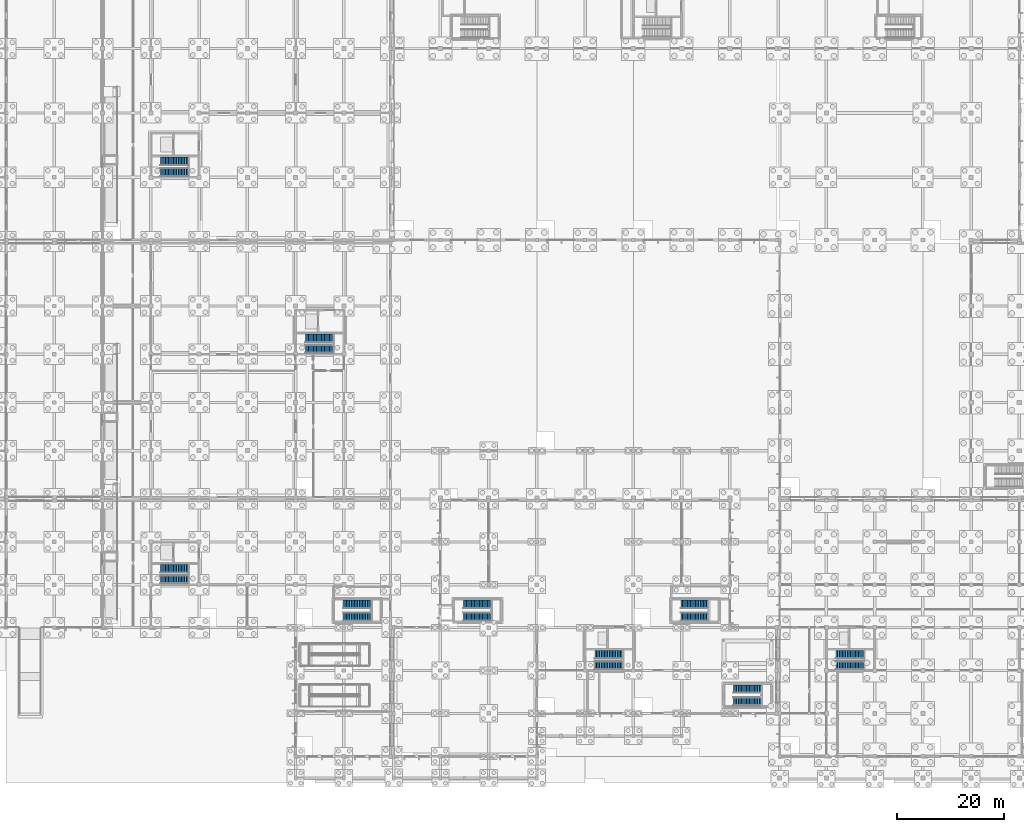
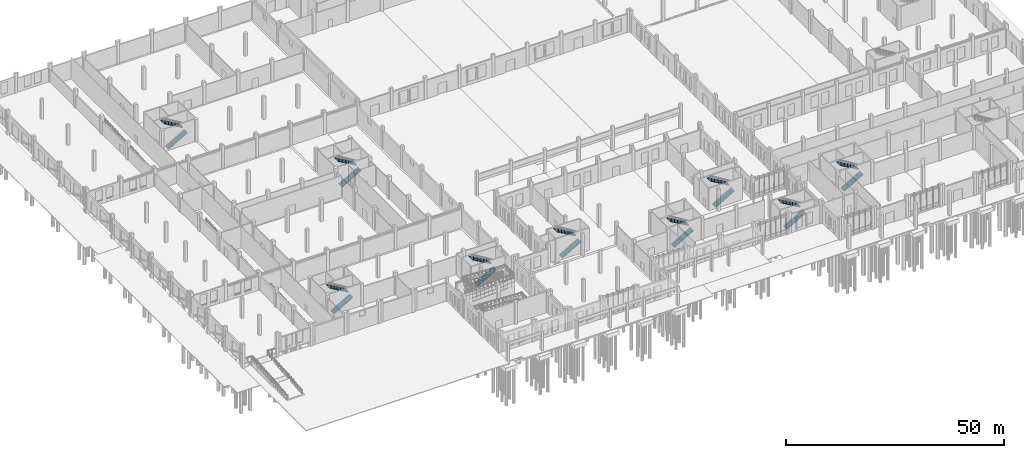
# One storey, part 75 of 99: 18 stair flights, 9 elements without a shape of their own.
"""IFC4 building model written with IfcOpenShell, lengths in metres."""

from ifc_helpers import new_model, si_unit, direction, frame, origin, place, context, subcontext, project, spatial, polyline, outline, extrude, material, layer, layer_set, type_object, element, aggregate, save


model = new_model("IFC4")

# Units and contexts
model_context = context("Model", 3, precision=1e-05, world=origin(), true_north=direction((0.0, 1.0)))
body_context = subcontext(model_context, "Body", "Model", "MODEL_VIEW")
ifc_project = project(units=[si_unit("LENGTHUNIT", "METRE"), si_unit("AREAUNIT", "SQUARE_METRE"), si_unit("VOLUMEUNIT", "CUBIC_METRE"), si_unit("PLANEANGLEUNIT", "RADIAN"), si_unit("MASSUNIT", "GRAM", prefix="KILO")], contexts=[model_context])

# Site, building, storey
site_placement = place(None, origin())
site = spatial("IfcSite", under=ifc_project, at=site_placement, CompositionType="ELEMENT")
building_placement = place(site_placement, origin())
building = spatial("IfcBuilding", under=site, at=building_placement, Name="Zacnel Wholesale Market", CompositionType="ELEMENT")
storey_placement = place(building_placement, origin())
storey = spatial("IfcBuildingStorey", under=building, at=storey_placement, Name="L01", CompositionType="ELEMENT", Elevation=0.0)

# Stair, stair flights
ifc_material_1 = material(Name="Precast concrete C45/55", Category="concrete")
stair_type = type_object("IfcStairType", Name="STR-DOGLEG-1550", PredefinedType="HALF_TURN_STAIR", material=ifc_material_1)
stair_1_placement = place(storey_placement, origin())
stair_1 = element("IfcStair", 1, at=stair_1_placement, inside=storey, type_object=stair_type, Name="Stair ST-01 (L01)", PredefinedType="HALF_TURN_STAIR")
ifc_material_2 = material(Name="Precast concrete C45/55", Category="concrete")
ifc_layer = layer(ifc_material_2, 0.159912109375)
ifc_layer_set = layer_set([ifc_layer], Name="Precast concrete C45/55")
stair_flight_type = type_object("IfcStairFlightType", Name="FLT-PC-1550", PredefinedType="STRAIGHT", material=ifc_layer_set)
stair_flight_1_placement = place(storey_placement, frame((154.81005859375, 16.965087890625, 0.0), z_axis=(0.0, 0.0, 1.0), x_axis=(1.0, 0.0, 0.0)))
stair_flight_1 = element("IfcStairFlight", 2, at=stair_flight_1_placement, type_object=stair_flight_type, Name="ST-01 flight 1", NumberOfRisers=18, NumberOfTreads=17, PredefinedType="STRAIGHT", RiserHeight=0.175, TreadLength=0.3, context=body_context, shape_type="SweptSolid", body=[
    extrude(outline(polyline([(0.0, 0.0), (0.0, 0.175048828125), (0.300048828125, 0.175048828125), (0.300048828125, 0.35009765625), (0.60009765625, 0.35009765625), (0.60009765625, 0.52490234375), (0.89990234375, 0.52490234375), (0.89990234375, 0.699951171875), (1.199951171875, 0.699951171875), (1.199951171875, 0.875), (1.5, 0.875), (1.5, 1.050048828125), (1.800048828125, 1.050048828125), (1.800048828125, 1.22509765625), (2.10009765625, 1.22509765625), (2.10009765625, 1.39990234375), (2.39990234375, 1.39990234375), (2.39990234375, 1.574951171875), (2.699951171875, 1.574951171875), (2.699951171875, 1.75), (3.0, 1.75), (3.0, 1.925048828125), (3.300048828125, 1.925048828125), (3.300048828125, 2.10009765625), (3.60009765625, 2.10009765625), (3.60009765625, 2.27490234375), (3.89990234375, 2.27490234375), (3.89990234375, 2.449951171875), (4.199951171875, 2.449951171875), (4.199951171875, 2.625), (4.5, 2.625), (4.5, 2.800048828125), (4.800048828125, 2.800048828125), (4.800048828125, 2.97509765625), (5.10009765625, 2.97509765625), (5.10009765625, 3.14990234375), (5.10009765625, 2.789794921875), (0.3173828125, 0.0), (0.0, 0.0)])), frame((0.0, 0.77490234375, 0.0), z_axis=(0.0, -1.0, 0.0), x_axis=(1.0, 0.0, 0.0)), (0.0, 0.0, 1.0), 1.550048828125),
])
stair_flight_2_placement = place(storey_placement, frame((159.909912109375, 18.985107421875, 3.14990234375), z_axis=(0.0, 0.0, 1.0), x_axis=(-1.0, 0.0, 0.0)))
stair_flight_2 = element("IfcStairFlight", 3, at=stair_flight_2_placement, type_object=stair_flight_type, Name="ST-01 flight 2", NumberOfRisers=18, NumberOfTreads=17, PredefinedType="STRAIGHT", RiserHeight=0.175, TreadLength=0.3, context=body_context, shape_type="SweptSolid", body=[
    extrude(outline(polyline([(0.0, 0.0), (0.0, 0.175048828125), (0.300048828125, 0.175048828125), (0.300048828125, 0.35009765625), (0.60009765625, 0.35009765625), (0.60009765625, 0.52490234375), (0.89990234375, 0.52490234375), (0.89990234375, 0.699951171875), (1.199951171875, 0.699951171875), (1.199951171875, 0.875), (1.5, 0.875), (1.5, 1.050048828125), (1.800048828125, 1.050048828125), (1.800048828125, 1.22509765625), (2.10009765625, 1.22509765625), (2.10009765625, 1.39990234375), (2.39990234375, 1.39990234375), (2.39990234375, 1.574951171875), (2.699951171875, 1.574951171875), (2.699951171875, 1.75), (3.0, 1.75), (3.0, 1.925048828125), (3.300048828125, 1.925048828125), (3.300048828125, 2.10009765625), (3.60009765625, 2.10009765625), (3.60009765625, 2.27490234375), (3.89990234375, 2.27490234375), (3.89990234375, 2.449951171875), (4.199951171875, 2.449951171875), (4.199951171875, 2.625), (4.5, 2.625), (4.5, 2.800048828125), (4.800048828125, 2.800048828125), (4.800048828125, 2.97509765625), (5.10009765625, 2.97509765625), (5.10009765625, 3.14990234375), (5.10009765625, 2.789794921875), (0.3173828125, 0.0), (0.0, 0.0)])), frame((0.0, 0.77490234375, 0.0), z_axis=(0.0, -1.0, 0.0), x_axis=(1.0, 0.0, 0.0)), (0.0, 0.0, 1.0), 1.550048828125),
])
aggregate(stair_1, [stair_flight_1, stair_flight_2])

stair_2_placement = place(storey_placement, origin())
stair_2 = element("IfcStair", 4, at=stair_2_placement, inside=storey, type_object=stair_type, Name="Stair ST-07 (L01)", PredefinedType="HALF_TURN_STAIR")
stair_flight_3_placement = place(storey_placement, frame((28.81005859375, 32.965087890625, 0.0), z_axis=(0.0, 0.0, 1.0), x_axis=(1.0, 0.0, 0.0)))
stair_flight_3 = element("IfcStairFlight", 5, at=stair_flight_3_placement, type_object=stair_flight_type, Name="ST-07 flight 1", NumberOfRisers=18, NumberOfTreads=17, PredefinedType="STRAIGHT", RiserHeight=0.175, TreadLength=0.3, context=body_context, shape_type="SweptSolid", body=[
    extrude(outline(polyline([(0.0, 0.0), (0.0, 0.175048828125), (0.300048828125, 0.175048828125), (0.300048828125, 0.35009765625), (0.60009765625, 0.35009765625), (0.60009765625, 0.52490234375), (0.89990234375, 0.52490234375), (0.89990234375, 0.699951171875), (1.199951171875, 0.699951171875), (1.199951171875, 0.875), (1.5, 0.875), (1.5, 1.050048828125), (1.800048828125, 1.050048828125), (1.800048828125, 1.22509765625), (2.10009765625, 1.22509765625), (2.10009765625, 1.39990234375), (2.39990234375, 1.39990234375), (2.39990234375, 1.574951171875), (2.699951171875, 1.574951171875), (2.699951171875, 1.75), (3.0, 1.75), (3.0, 1.925048828125), (3.300048828125, 1.925048828125), (3.300048828125, 2.10009765625), (3.60009765625, 2.10009765625), (3.60009765625, 2.27490234375), (3.89990234375, 2.27490234375), (3.89990234375, 2.449951171875), (4.199951171875, 2.449951171875), (4.199951171875, 2.625), (4.5, 2.625), (4.5, 2.800048828125), (4.800048828125, 2.800048828125), (4.800048828125, 2.97509765625), (5.10009765625, 2.97509765625), (5.10009765625, 3.14990234375), (5.10009765625, 2.789794921875), (0.3173828125, 0.0), (0.0, 0.0)])), frame((0.0, 0.77490234375, 0.0), z_axis=(0.0, -1.0, 0.0), x_axis=(1.0, 0.0, 0.0)), (0.0, 0.0, 1.0), 1.550048828125),
])
stair_flight_4_placement = place(storey_placement, frame((33.909912109375, 34.985107421875, 3.14990234375), z_axis=(0.0, 0.0, 1.0), x_axis=(-1.0, 0.0, 0.0)))
stair_flight_4 = element("IfcStairFlight", 6, at=stair_flight_4_placement, type_object=stair_flight_type, Name="ST-07 flight 2", NumberOfRisers=18, NumberOfTreads=17, PredefinedType="STRAIGHT", RiserHeight=0.175, TreadLength=0.3, context=body_context, shape_type="SweptSolid", body=[
    extrude(outline(polyline([(0.0, 0.0), (0.0, 0.175048828125), (0.300048828125, 0.175048828125), (0.300048828125, 0.35009765625), (0.60009765625, 0.35009765625), (0.60009765625, 0.52490234375), (0.89990234375, 0.52490234375), (0.89990234375, 0.699951171875), (1.199951171875, 0.699951171875), (1.199951171875, 0.875), (1.5, 0.875), (1.5, 1.050048828125), (1.800048828125, 1.050048828125), (1.800048828125, 1.22509765625), (2.10009765625, 1.22509765625), (2.10009765625, 1.39990234375), (2.39990234375, 1.39990234375), (2.39990234375, 1.574951171875), (2.699951171875, 1.574951171875), (2.699951171875, 1.75), (3.0, 1.75), (3.0, 1.925048828125), (3.300048828125, 1.925048828125), (3.300048828125, 2.10009765625), (3.60009765625, 2.10009765625), (3.60009765625, 2.27490234375), (3.89990234375, 2.27490234375), (3.89990234375, 2.449951171875), (4.199951171875, 2.449951171875), (4.199951171875, 2.625), (4.5, 2.625), (4.5, 2.800048828125), (4.800048828125, 2.800048828125), (4.800048828125, 2.97509765625), (5.10009765625, 2.97509765625), (5.10009765625, 3.14990234375), (5.10009765625, 2.789794921875), (0.3173828125, 0.0), (0.0, 0.0)])), frame((0.0, 0.77490234375, 0.0), z_axis=(0.0, -1.0, 0.0), x_axis=(1.0, 0.0, 0.0)), (0.0, 0.0, 1.0), 1.550048828125),
])
aggregate(stair_2, [stair_flight_3, stair_flight_4])

stair_3_placement = place(storey_placement, origin())
stair_3 = element("IfcStair", 7, at=stair_3_placement, inside=storey, type_object=stair_type, Name="Stair ST-09 (L01)", PredefinedType="HALF_TURN_STAIR")
stair_flight_5_placement = place(storey_placement, frame((55.81005859375, 75.965087890625, 0.0), z_axis=(0.0, 0.0, 1.0), x_axis=(1.0, 0.0, 0.0)))
stair_flight_5 = element("IfcStairFlight", 8, at=stair_flight_5_placement, type_object=stair_flight_type, Name="ST-09 flight 1", NumberOfRisers=18, NumberOfTreads=17, PredefinedType="STRAIGHT", RiserHeight=0.175, TreadLength=0.3, context=body_context, shape_type="SweptSolid", body=[
    extrude(outline(polyline([(0.0, 0.0), (0.0, 0.175048828125), (0.300048828125, 0.175048828125), (0.300048828125, 0.35009765625), (0.60009765625, 0.35009765625), (0.60009765625, 0.52490234375), (0.89990234375, 0.52490234375), (0.89990234375, 0.699951171875), (1.199951171875, 0.699951171875), (1.199951171875, 0.875), (1.5, 0.875), (1.5, 1.050048828125), (1.800048828125, 1.050048828125), (1.800048828125, 1.22509765625), (2.10009765625, 1.22509765625), (2.10009765625, 1.39990234375), (2.39990234375, 1.39990234375), (2.39990234375, 1.574951171875), (2.699951171875, 1.574951171875), (2.699951171875, 1.75), (3.0, 1.75), (3.0, 1.925048828125), (3.300048828125, 1.925048828125), (3.300048828125, 2.10009765625), (3.60009765625, 2.10009765625), (3.60009765625, 2.27490234375), (3.89990234375, 2.27490234375), (3.89990234375, 2.449951171875), (4.199951171875, 2.449951171875), (4.199951171875, 2.625), (4.5, 2.625), (4.5, 2.800048828125), (4.800048828125, 2.800048828125), (4.800048828125, 2.97509765625), (5.10009765625, 2.97509765625), (5.10009765625, 3.14990234375), (5.10009765625, 2.789794921875), (0.3173828125, 0.0), (0.0, 0.0)])), frame((0.0, 0.77490234375, 0.0), z_axis=(0.0, -1.0, 0.0), x_axis=(1.0, 0.0, 0.0)), (0.0, 0.0, 1.0), 1.550048828125),
])
stair_flight_6_placement = place(storey_placement, frame((60.909912109375, 77.985107421875, 3.14990234375), z_axis=(0.0, 0.0, 1.0), x_axis=(-1.0, 0.0, 0.0)))
stair_flight_6 = element("IfcStairFlight", 9, at=stair_flight_6_placement, type_object=stair_flight_type, Name="ST-09 flight 2", NumberOfRisers=18, NumberOfTreads=17, PredefinedType="STRAIGHT", RiserHeight=0.175, TreadLength=0.3, context=body_context, shape_type="SweptSolid", body=[
    extrude(outline(polyline([(0.0, 0.0), (0.0, 0.175048828125), (0.300048828125, 0.175048828125), (0.300048828125, 0.35009765625), (0.60009765625, 0.35009765625), (0.60009765625, 0.52490234375), (0.89990234375, 0.52490234375), (0.89990234375, 0.699951171875), (1.199951171875, 0.699951171875), (1.199951171875, 0.875), (1.5, 0.875), (1.5, 1.050048828125), (1.800048828125, 1.050048828125), (1.800048828125, 1.22509765625), (2.10009765625, 1.22509765625), (2.10009765625, 1.39990234375), (2.39990234375, 1.39990234375), (2.39990234375, 1.574951171875), (2.699951171875, 1.574951171875), (2.699951171875, 1.75), (3.0, 1.75), (3.0, 1.925048828125), (3.300048828125, 1.925048828125), (3.300048828125, 2.10009765625), (3.60009765625, 2.10009765625), (3.60009765625, 2.27490234375), (3.89990234375, 2.27490234375), (3.89990234375, 2.449951171875), (4.199951171875, 2.449951171875), (4.199951171875, 2.625), (4.5, 2.625), (4.5, 2.800048828125), (4.800048828125, 2.800048828125), (4.800048828125, 2.97509765625), (5.10009765625, 2.97509765625), (5.10009765625, 3.14990234375), (5.10009765625, 2.789794921875), (0.3173828125, 0.0), (0.0, 0.0)])), frame((0.0, 0.77490234375, 0.0), z_axis=(0.0, -1.0, 0.0), x_axis=(1.0, 0.0, 0.0)), (0.0, 0.0, 1.0), 1.550048828125),
])
aggregate(stair_3, [stair_flight_5, stair_flight_6])

stair_4_placement = place(storey_placement, origin())
stair_4 = element("IfcStair", 10, at=stair_4_placement, inside=storey, type_object=stair_type, Name="Stair ST-12 (L01)", PredefinedType="HALF_TURN_STAIR")
stair_flight_7_placement = place(storey_placement, frame((28.81005859375, 108.965087890625, 0.0), z_axis=(0.0, 0.0, 1.0), x_axis=(1.0, 0.0, 0.0)))
stair_flight_7 = element("IfcStairFlight", 11, at=stair_flight_7_placement, type_object=stair_flight_type, Name="ST-12 flight 1", NumberOfRisers=18, NumberOfTreads=17, PredefinedType="STRAIGHT", RiserHeight=0.175, TreadLength=0.3, context=body_context, shape_type="SweptSolid", body=[
    extrude(outline(polyline([(0.0, 0.0), (0.0, 0.175048828125), (0.300048828125, 0.175048828125), (0.300048828125, 0.35009765625), (0.60009765625, 0.35009765625), (0.60009765625, 0.52490234375), (0.89990234375, 0.52490234375), (0.89990234375, 0.699951171875), (1.199951171875, 0.699951171875), (1.199951171875, 0.875), (1.5, 0.875), (1.5, 1.050048828125), (1.800048828125, 1.050048828125), (1.800048828125, 1.22509765625), (2.10009765625, 1.22509765625), (2.10009765625, 1.39990234375), (2.39990234375, 1.39990234375), (2.39990234375, 1.574951171875), (2.699951171875, 1.574951171875), (2.699951171875, 1.75), (3.0, 1.75), (3.0, 1.925048828125), (3.300048828125, 1.925048828125), (3.300048828125, 2.10009765625), (3.60009765625, 2.10009765625), (3.60009765625, 2.27490234375), (3.89990234375, 2.27490234375), (3.89990234375, 2.449951171875), (4.199951171875, 2.449951171875), (4.199951171875, 2.625), (4.5, 2.625), (4.5, 2.800048828125), (4.800048828125, 2.800048828125), (4.800048828125, 2.97509765625), (5.10009765625, 2.97509765625), (5.10009765625, 3.14990234375), (5.10009765625, 2.789794921875), (0.3173828125, 0.0), (0.0, 0.0)])), frame((0.0, 0.77490234375, 0.0), z_axis=(0.0, -1.0, 0.0), x_axis=(1.0, 0.0, 0.0)), (0.0, 0.0, 1.0), 1.550048828125),
])
stair_flight_8_placement = place(storey_placement, frame((33.909912109375, 110.985107421875, 3.14990234375), z_axis=(0.0, 0.0, 1.0), x_axis=(-1.0, 0.0, 0.0)))
stair_flight_8 = element("IfcStairFlight", 12, at=stair_flight_8_placement, type_object=stair_flight_type, Name="ST-12 flight 2", NumberOfRisers=18, NumberOfTreads=17, PredefinedType="STRAIGHT", RiserHeight=0.175, TreadLength=0.3, context=body_context, shape_type="SweptSolid", body=[
    extrude(outline(polyline([(0.0, 0.0), (0.0, 0.175048828125), (0.300048828125, 0.175048828125), (0.300048828125, 0.35009765625), (0.60009765625, 0.35009765625), (0.60009765625, 0.52490234375), (0.89990234375, 0.52490234375), (0.89990234375, 0.699951171875), (1.199951171875, 0.699951171875), (1.199951171875, 0.875), (1.5, 0.875), (1.5, 1.050048828125), (1.800048828125, 1.050048828125), (1.800048828125, 1.22509765625), (2.10009765625, 1.22509765625), (2.10009765625, 1.39990234375), (2.39990234375, 1.39990234375), (2.39990234375, 1.574951171875), (2.699951171875, 1.574951171875), (2.699951171875, 1.75), (3.0, 1.75), (3.0, 1.925048828125), (3.300048828125, 1.925048828125), (3.300048828125, 2.10009765625), (3.60009765625, 2.10009765625), (3.60009765625, 2.27490234375), (3.89990234375, 2.27490234375), (3.89990234375, 2.449951171875), (4.199951171875, 2.449951171875), (4.199951171875, 2.625), (4.5, 2.625), (4.5, 2.800048828125), (4.800048828125, 2.800048828125), (4.800048828125, 2.97509765625), (5.10009765625, 2.97509765625), (5.10009765625, 3.14990234375), (5.10009765625, 2.789794921875), (0.3173828125, 0.0), (0.0, 0.0)])), frame((0.0, 0.77490234375, 0.0), z_axis=(0.0, -1.0, 0.0), x_axis=(1.0, 0.0, 0.0)), (0.0, 0.0, 1.0), 1.550048828125),
])
aggregate(stair_4, [stair_flight_7, stair_flight_8])

stair_5_placement = place(storey_placement, origin())
stair_5 = element("IfcStair", 13, at=stair_5_placement, inside=storey, type_object=stair_type, Name="Stair ST-16 (L01)", PredefinedType="HALF_TURN_STAIR")
stair_flight_9_placement = place(storey_placement, frame((109.81005859375, 16.965087890625, 0.0), z_axis=(0.0, 0.0, 1.0), x_axis=(1.0, 0.0, 0.0)))
stair_flight_9 = element("IfcStairFlight", 14, at=stair_flight_9_placement, type_object=stair_flight_type, Name="ST-16 flight 1", NumberOfRisers=18, NumberOfTreads=17, PredefinedType="STRAIGHT", RiserHeight=0.175, TreadLength=0.3, context=body_context, shape_type="SweptSolid", body=[
    extrude(outline(polyline([(0.0, 0.0), (0.0, 0.175048828125), (0.300048828125, 0.175048828125), (0.300048828125, 0.35009765625), (0.60009765625, 0.35009765625), (0.60009765625, 0.52490234375), (0.89990234375, 0.52490234375), (0.89990234375, 0.699951171875), (1.199951171875, 0.699951171875), (1.199951171875, 0.875), (1.5, 0.875), (1.5, 1.050048828125), (1.800048828125, 1.050048828125), (1.800048828125, 1.22509765625), (2.10009765625, 1.22509765625), (2.10009765625, 1.39990234375), (2.39990234375, 1.39990234375), (2.39990234375, 1.574951171875), (2.699951171875, 1.574951171875), (2.699951171875, 1.75), (3.0, 1.75), (3.0, 1.925048828125), (3.300048828125, 1.925048828125), (3.300048828125, 2.10009765625), (3.60009765625, 2.10009765625), (3.60009765625, 2.27490234375), (3.89990234375, 2.27490234375), (3.89990234375, 2.449951171875), (4.199951171875, 2.449951171875), (4.199951171875, 2.625), (4.5, 2.625), (4.5, 2.800048828125), (4.800048828125, 2.800048828125), (4.800048828125, 2.97509765625), (5.10009765625, 2.97509765625), (5.10009765625, 3.14990234375), (5.10009765625, 2.789794921875), (0.3173828125, 0.0), (0.0, 0.0)])), frame((0.0, 0.77490234375, 0.0), z_axis=(0.0, -1.0, 0.0), x_axis=(1.0, 0.0, 0.0)), (0.0, 0.0, 1.0), 1.550048828125),
])
stair_flight_10_placement = place(storey_placement, frame((114.909912109375, 18.985107421875, 3.14990234375), z_axis=(0.0, 0.0, 1.0), x_axis=(-1.0, 0.0, 0.0)))
stair_flight_10 = element("IfcStairFlight", 15, at=stair_flight_10_placement, type_object=stair_flight_type, Name="ST-16 flight 2", NumberOfRisers=18, NumberOfTreads=17, PredefinedType="STRAIGHT", RiserHeight=0.175, TreadLength=0.3, context=body_context, shape_type="SweptSolid", body=[
    extrude(outline(polyline([(0.0, 0.0), (0.0, 0.175048828125), (0.300048828125, 0.175048828125), (0.300048828125, 0.35009765625), (0.60009765625, 0.35009765625), (0.60009765625, 0.52490234375), (0.89990234375, 0.52490234375), (0.89990234375, 0.699951171875), (1.199951171875, 0.699951171875), (1.199951171875, 0.875), (1.5, 0.875), (1.5, 1.050048828125), (1.800048828125, 1.050048828125), (1.800048828125, 1.22509765625), (2.10009765625, 1.22509765625), (2.10009765625, 1.39990234375), (2.39990234375, 1.39990234375), (2.39990234375, 1.574951171875), (2.699951171875, 1.574951171875), (2.699951171875, 1.75), (3.0, 1.75), (3.0, 1.925048828125), (3.300048828125, 1.925048828125), (3.300048828125, 2.10009765625), (3.60009765625, 2.10009765625), (3.60009765625, 2.27490234375), (3.89990234375, 2.27490234375), (3.89990234375, 2.449951171875), (4.199951171875, 2.449951171875), (4.199951171875, 2.625), (4.5, 2.625), (4.5, 2.800048828125), (4.800048828125, 2.800048828125), (4.800048828125, 2.97509765625), (5.10009765625, 2.97509765625), (5.10009765625, 3.14990234375), (5.10009765625, 2.789794921875), (0.3173828125, 0.0), (0.0, 0.0)])), frame((0.0, 0.77490234375, 0.0), z_axis=(0.0, -1.0, 0.0), x_axis=(1.0, 0.0, 0.0)), (0.0, 0.0, 1.0), 1.550048828125),
])
aggregate(stair_5, [stair_flight_9, stair_flight_10])

stair_6_placement = place(storey_placement, origin())
stair_6 = element("IfcStair", 16, at=stair_6_placement, inside=storey, type_object=stair_type, Name="Stair ST-18 (L01)", PredefinedType="HALF_TURN_STAIR")
stair_flight_11_placement = place(storey_placement, frame((85.280029296875, 26.034912109375, 0.0), z_axis=(0.0, 0.0, 1.0), x_axis=(1.0, 0.0, 0.0)))
stair_flight_11 = element("IfcStairFlight", 17, at=stair_flight_11_placement, type_object=stair_flight_type, Name="ST-18 flight 1", NumberOfRisers=18, NumberOfTreads=17, PredefinedType="STRAIGHT", RiserHeight=0.175, TreadLength=0.3, context=body_context, shape_type="SweptSolid", body=[
    extrude(outline(polyline([(0.0, 0.0), (0.0, 0.175048828125), (0.300048828125, 0.175048828125), (0.300048828125, 0.35009765625), (0.60009765625, 0.35009765625), (0.60009765625, 0.52490234375), (0.89990234375, 0.52490234375), (0.89990234375, 0.699951171875), (1.199951171875, 0.699951171875), (1.199951171875, 0.875), (1.5, 0.875), (1.5, 1.050048828125), (1.800048828125, 1.050048828125), (1.800048828125, 1.22509765625), (2.10009765625, 1.22509765625), (2.10009765625, 1.39990234375), (2.39990234375, 1.39990234375), (2.39990234375, 1.574951171875), (2.699951171875, 1.574951171875), (2.699951171875, 1.75), (3.0, 1.75), (3.0, 1.925048828125), (3.300048828125, 1.925048828125), (3.300048828125, 2.10009765625), (3.60009765625, 2.10009765625), (3.60009765625, 2.27490234375), (3.89990234375, 2.27490234375), (3.89990234375, 2.449951171875), (4.199951171875, 2.449951171875), (4.199951171875, 2.625), (4.5, 2.625), (4.5, 2.800048828125), (4.800048828125, 2.800048828125), (4.800048828125, 2.97509765625), (5.10009765625, 2.97509765625), (5.10009765625, 3.14990234375), (5.10009765625, 2.789794921875), (0.3173828125, 0.0), (0.0, 0.0)])), frame((0.0, 0.77490234375, 0.0), z_axis=(0.0, -1.0, 0.0), x_axis=(1.0, 0.0, 0.0)), (0.0, 0.0, 1.0), 1.550048828125),
])
stair_flight_12_placement = place(storey_placement, frame((90.3798828125, 28.364990234375, 3.14990234375), z_axis=(0.0, 0.0, 1.0), x_axis=(-1.0, 0.0, 0.0)))
stair_flight_12 = element("IfcStairFlight", 18, at=stair_flight_12_placement, type_object=stair_flight_type, Name="ST-18 flight 2", NumberOfRisers=18, NumberOfTreads=17, PredefinedType="STRAIGHT", RiserHeight=0.175, TreadLength=0.3, context=body_context, shape_type="SweptSolid", body=[
    extrude(outline(polyline([(0.0, 0.0), (0.0, 0.175048828125), (0.300048828125, 0.175048828125), (0.300048828125, 0.35009765625), (0.60009765625, 0.35009765625), (0.60009765625, 0.52490234375), (0.89990234375, 0.52490234375), (0.89990234375, 0.699951171875), (1.199951171875, 0.699951171875), (1.199951171875, 0.875), (1.5, 0.875), (1.5, 1.050048828125), (1.800048828125, 1.050048828125), (1.800048828125, 1.22509765625), (2.10009765625, 1.22509765625), (2.10009765625, 1.39990234375), (2.39990234375, 1.39990234375), (2.39990234375, 1.574951171875), (2.699951171875, 1.574951171875), (2.699951171875, 1.75), (3.0, 1.75), (3.0, 1.925048828125), (3.300048828125, 1.925048828125), (3.300048828125, 2.10009765625), (3.60009765625, 2.10009765625), (3.60009765625, 2.27490234375), (3.89990234375, 2.27490234375), (3.89990234375, 2.449951171875), (4.199951171875, 2.449951171875), (4.199951171875, 2.625), (4.5, 2.625), (4.5, 2.800048828125), (4.800048828125, 2.800048828125), (4.800048828125, 2.97509765625), (5.10009765625, 2.97509765625), (5.10009765625, 3.14990234375), (5.10009765625, 2.789794921875), (0.3173828125, 0.0), (0.0, 0.0)])), frame((0.0, 0.77490234375, 0.0), z_axis=(0.0, -1.0, 0.0), x_axis=(1.0, 0.0, 0.0)), (0.0, 0.0, 1.0), 1.550048828125),
])
aggregate(stair_6, [stair_flight_11, stair_flight_12])

stair_7_placement = place(storey_placement, origin())
stair_7 = element("IfcStair", 19, at=stair_7_placement, inside=storey, type_object=stair_type, Name="Stair ST-19 (L01)", PredefinedType="HALF_TURN_STAIR")
stair_flight_13_placement = place(storey_placement, frame((125.8798828125, 26.034912109375, 0.0), z_axis=(0.0, 0.0, 1.0), x_axis=(1.0, 0.0, 0.0)))
stair_flight_13 = element("IfcStairFlight", 20, at=stair_flight_13_placement, type_object=stair_flight_type, Name="ST-19 flight 1", NumberOfRisers=18, NumberOfTreads=17, PredefinedType="STRAIGHT", RiserHeight=0.175, TreadLength=0.3, context=body_context, shape_type="SweptSolid", body=[
    extrude(outline(polyline([(0.0, 0.0), (0.0, 0.175048828125), (0.300048828125, 0.175048828125), (0.300048828125, 0.35009765625), (0.60009765625, 0.35009765625), (0.60009765625, 0.52490234375), (0.89990234375, 0.52490234375), (0.89990234375, 0.699951171875), (1.199951171875, 0.699951171875), (1.199951171875, 0.875), (1.5, 0.875), (1.5, 1.050048828125), (1.800048828125, 1.050048828125), (1.800048828125, 1.22509765625), (2.10009765625, 1.22509765625), (2.10009765625, 1.39990234375), (2.39990234375, 1.39990234375), (2.39990234375, 1.574951171875), (2.699951171875, 1.574951171875), (2.699951171875, 1.75), (3.0, 1.75), (3.0, 1.925048828125), (3.300048828125, 1.925048828125), (3.300048828125, 2.10009765625), (3.60009765625, 2.10009765625), (3.60009765625, 2.27490234375), (3.89990234375, 2.27490234375), (3.89990234375, 2.449951171875), (4.199951171875, 2.449951171875), (4.199951171875, 2.625), (4.5, 2.625), (4.5, 2.800048828125), (4.800048828125, 2.800048828125), (4.800048828125, 2.97509765625), (5.10009765625, 2.97509765625), (5.10009765625, 3.14990234375), (5.10009765625, 2.789794921875), (0.3173828125, 0.0), (0.0, 0.0)])), frame((0.0, 0.77490234375, 0.0), z_axis=(0.0, -1.0, 0.0), x_axis=(1.0, 0.0, 0.0)), (0.0, 0.0, 1.0), 1.550048828125),
])
stair_flight_14_placement = place(storey_placement, frame((130.97998046875, 28.364990234375, 3.14990234375), z_axis=(0.0, 0.0, 1.0), x_axis=(-1.0, 0.0, 0.0)))
stair_flight_14 = element("IfcStairFlight", 21, at=stair_flight_14_placement, type_object=stair_flight_type, Name="ST-19 flight 2", NumberOfRisers=18, NumberOfTreads=17, PredefinedType="STRAIGHT", RiserHeight=0.175, TreadLength=0.3, context=body_context, shape_type="SweptSolid", body=[
    extrude(outline(polyline([(0.0, 0.0), (0.0, 0.175048828125), (0.300048828125, 0.175048828125), (0.300048828125, 0.35009765625), (0.60009765625, 0.35009765625), (0.60009765625, 0.52490234375), (0.89990234375, 0.52490234375), (0.89990234375, 0.699951171875), (1.199951171875, 0.699951171875), (1.199951171875, 0.875), (1.5, 0.875), (1.5, 1.050048828125), (1.800048828125, 1.050048828125), (1.800048828125, 1.22509765625), (2.10009765625, 1.22509765625), (2.10009765625, 1.39990234375), (2.39990234375, 1.39990234375), (2.39990234375, 1.574951171875), (2.699951171875, 1.574951171875), (2.699951171875, 1.75), (3.0, 1.75), (3.0, 1.925048828125), (3.300048828125, 1.925048828125), (3.300048828125, 2.10009765625), (3.60009765625, 2.10009765625), (3.60009765625, 2.27490234375), (3.89990234375, 2.27490234375), (3.89990234375, 2.449951171875), (4.199951171875, 2.449951171875), (4.199951171875, 2.625), (4.5, 2.625), (4.5, 2.800048828125), (4.800048828125, 2.800048828125), (4.800048828125, 2.97509765625), (5.10009765625, 2.97509765625), (5.10009765625, 3.14990234375), (5.10009765625, 2.789794921875), (0.3173828125, 0.0), (0.0, 0.0)])), frame((0.0, 0.77490234375, 0.0), z_axis=(0.0, -1.0, 0.0), x_axis=(1.0, 0.0, 0.0)), (0.0, 0.0, 1.0), 1.550048828125),
])
aggregate(stair_7, [stair_flight_13, stair_flight_14])

stair_8_placement = place(storey_placement, origin())
stair_8 = element("IfcStair", 22, at=stair_8_placement, inside=storey, type_object=stair_type, Name="Stair ST-23 (L01)", PredefinedType="HALF_TURN_STAIR")
stair_flight_15_placement = place(storey_placement, frame((62.8798828125, 26.034912109375, 0.0), z_axis=(0.0, 0.0, 1.0), x_axis=(1.0, 0.0, 0.0)))
stair_flight_15 = element("IfcStairFlight", 23, at=stair_flight_15_placement, type_object=stair_flight_type, Name="ST-23 flight 1", NumberOfRisers=18, NumberOfTreads=17, PredefinedType="STRAIGHT", RiserHeight=0.175, TreadLength=0.3, context=body_context, shape_type="SweptSolid", body=[
    extrude(outline(polyline([(0.0, 0.0), (0.0, 0.175048828125), (0.300048828125, 0.175048828125), (0.300048828125, 0.35009765625), (0.60009765625, 0.35009765625), (0.60009765625, 0.52490234375), (0.89990234375, 0.52490234375), (0.89990234375, 0.699951171875), (1.199951171875, 0.699951171875), (1.199951171875, 0.875), (1.5, 0.875), (1.5, 1.050048828125), (1.800048828125, 1.050048828125), (1.800048828125, 1.22509765625), (2.10009765625, 1.22509765625), (2.10009765625, 1.39990234375), (2.39990234375, 1.39990234375), (2.39990234375, 1.574951171875), (2.699951171875, 1.574951171875), (2.699951171875, 1.75), (3.0, 1.75), (3.0, 1.925048828125), (3.300048828125, 1.925048828125), (3.300048828125, 2.10009765625), (3.60009765625, 2.10009765625), (3.60009765625, 2.27490234375), (3.89990234375, 2.27490234375), (3.89990234375, 2.449951171875), (4.199951171875, 2.449951171875), (4.199951171875, 2.625), (4.5, 2.625), (4.5, 2.800048828125), (4.800048828125, 2.800048828125), (4.800048828125, 2.97509765625), (5.10009765625, 2.97509765625), (5.10009765625, 3.14990234375), (5.10009765625, 2.789794921875), (0.3173828125, 0.0), (0.0, 0.0)])), frame((0.0, 0.77490234375, 0.0), z_axis=(0.0, -1.0, 0.0), x_axis=(1.0, 0.0, 0.0)), (0.0, 0.0, 1.0), 1.550048828125),
])
stair_flight_16_placement = place(storey_placement, frame((67.97998046875, 28.364990234375, 3.14990234375), z_axis=(0.0, 0.0, 1.0), x_axis=(-1.0, 0.0, 0.0)))
stair_flight_16 = element("IfcStairFlight", 24, at=stair_flight_16_placement, type_object=stair_flight_type, Name="ST-23 flight 2", NumberOfRisers=18, NumberOfTreads=17, PredefinedType="STRAIGHT", RiserHeight=0.175, TreadLength=0.3, context=body_context, shape_type="SweptSolid", body=[
    extrude(outline(polyline([(0.0, 0.0), (0.0, 0.175048828125), (0.300048828125, 0.175048828125), (0.300048828125, 0.35009765625), (0.60009765625, 0.35009765625), (0.60009765625, 0.52490234375), (0.89990234375, 0.52490234375), (0.89990234375, 0.699951171875), (1.199951171875, 0.699951171875), (1.199951171875, 0.875), (1.5, 0.875), (1.5, 1.050048828125), (1.800048828125, 1.050048828125), (1.800048828125, 1.22509765625), (2.10009765625, 1.22509765625), (2.10009765625, 1.39990234375), (2.39990234375, 1.39990234375), (2.39990234375, 1.574951171875), (2.699951171875, 1.574951171875), (2.699951171875, 1.75), (3.0, 1.75), (3.0, 1.925048828125), (3.300048828125, 1.925048828125), (3.300048828125, 2.10009765625), (3.60009765625, 2.10009765625), (3.60009765625, 2.27490234375), (3.89990234375, 2.27490234375), (3.89990234375, 2.449951171875), (4.199951171875, 2.449951171875), (4.199951171875, 2.625), (4.5, 2.625), (4.5, 2.800048828125), (4.800048828125, 2.800048828125), (4.800048828125, 2.97509765625), (5.10009765625, 2.97509765625), (5.10009765625, 3.14990234375), (5.10009765625, 2.789794921875), (0.3173828125, 0.0), (0.0, 0.0)])), frame((0.0, 0.77490234375, 0.0), z_axis=(0.0, -1.0, 0.0), x_axis=(1.0, 0.0, 0.0)), (0.0, 0.0, 1.0), 1.550048828125),
])
aggregate(stair_8, [stair_flight_15, stair_flight_16])

stair_9_placement = place(storey_placement, origin())
stair_9 = element("IfcStair", 25, at=stair_9_placement, inside=storey, type_object=stair_type, Name="Stair ST-24 (L01)", PredefinedType="HALF_TURN_STAIR")
stair_flight_17_placement = place(storey_placement, frame((135.679931640625, 10.235107421875, 0.0), z_axis=(0.0, 0.0, 1.0), x_axis=(1.0, 0.0, 0.0)))
stair_flight_17 = element("IfcStairFlight", 26, at=stair_flight_17_placement, type_object=stair_flight_type, Name="ST-24 flight 1", NumberOfRisers=18, NumberOfTreads=17, PredefinedType="STRAIGHT", RiserHeight=0.175, TreadLength=0.3, context=body_context, shape_type="SweptSolid", body=[
    extrude(outline(polyline([(0.0, 0.0), (0.0, 0.175048828125), (0.300048828125, 0.175048828125), (0.300048828125, 0.35009765625), (0.60009765625, 0.35009765625), (0.60009765625, 0.52490234375), (0.89990234375, 0.52490234375), (0.89990234375, 0.699951171875), (1.199951171875, 0.699951171875), (1.199951171875, 0.875), (1.5, 0.875), (1.5, 1.050048828125), (1.800048828125, 1.050048828125), (1.800048828125, 1.22509765625), (2.10009765625, 1.22509765625), (2.10009765625, 1.39990234375), (2.39990234375, 1.39990234375), (2.39990234375, 1.574951171875), (2.699951171875, 1.574951171875), (2.699951171875, 1.75), (3.0, 1.75), (3.0, 1.925048828125), (3.300048828125, 1.925048828125), (3.300048828125, 2.10009765625), (3.60009765625, 2.10009765625), (3.60009765625, 2.27490234375), (3.89990234375, 2.27490234375), (3.89990234375, 2.449951171875), (4.199951171875, 2.449951171875), (4.199951171875, 2.625), (4.5, 2.625), (4.5, 2.800048828125), (4.800048828125, 2.800048828125), (4.800048828125, 2.97509765625), (5.10009765625, 2.97509765625), (5.10009765625, 3.14990234375), (5.10009765625, 2.789794921875), (0.3173828125, 0.0), (0.0, 0.0)])), frame((0.0, 0.77490234375, 0.0), z_axis=(0.0, -1.0, 0.0), x_axis=(1.0, 0.0, 0.0)), (0.0, 0.0, 1.0), 1.550048828125),
])
stair_flight_18_placement = place(storey_placement, frame((140.780029296875, 12.56494140625, 3.14990234375), z_axis=(0.0, 0.0, 1.0), x_axis=(-1.0, 0.0, 0.0)))
stair_flight_18 = element("IfcStairFlight", 27, at=stair_flight_18_placement, type_object=stair_flight_type, Name="ST-24 flight 2", NumberOfRisers=18, NumberOfTreads=17, PredefinedType="STRAIGHT", RiserHeight=0.175, TreadLength=0.3, context=body_context, shape_type="SweptSolid", body=[
    extrude(outline(polyline([(0.0, 0.0), (0.0, 0.175048828125), (0.300048828125, 0.175048828125), (0.300048828125, 0.35009765625), (0.60009765625, 0.35009765625), (0.60009765625, 0.52490234375), (0.89990234375, 0.52490234375), (0.89990234375, 0.699951171875), (1.199951171875, 0.699951171875), (1.199951171875, 0.875), (1.5, 0.875), (1.5, 1.050048828125), (1.800048828125, 1.050048828125), (1.800048828125, 1.22509765625), (2.10009765625, 1.22509765625), (2.10009765625, 1.39990234375), (2.39990234375, 1.39990234375), (2.39990234375, 1.574951171875), (2.699951171875, 1.574951171875), (2.699951171875, 1.75), (3.0, 1.75), (3.0, 1.925048828125), (3.300048828125, 1.925048828125), (3.300048828125, 2.10009765625), (3.60009765625, 2.10009765625), (3.60009765625, 2.27490234375), (3.89990234375, 2.27490234375), (3.89990234375, 2.449951171875), (4.199951171875, 2.449951171875), (4.199951171875, 2.625), (4.5, 2.625), (4.5, 2.800048828125), (4.800048828125, 2.800048828125), (4.800048828125, 2.97509765625), (5.10009765625, 2.97509765625), (5.10009765625, 3.14990234375), (5.10009765625, 2.789794921875), (0.3173828125, 0.0), (0.0, 0.0)])), frame((0.0, 0.77490234375, 0.0), z_axis=(0.0, -1.0, 0.0), x_axis=(1.0, 0.0, 0.0)), (0.0, 0.0, 1.0), 1.550048828125),
])
aggregate(stair_9, [stair_flight_17, stair_flight_18])

save(model, "model.ifc")
